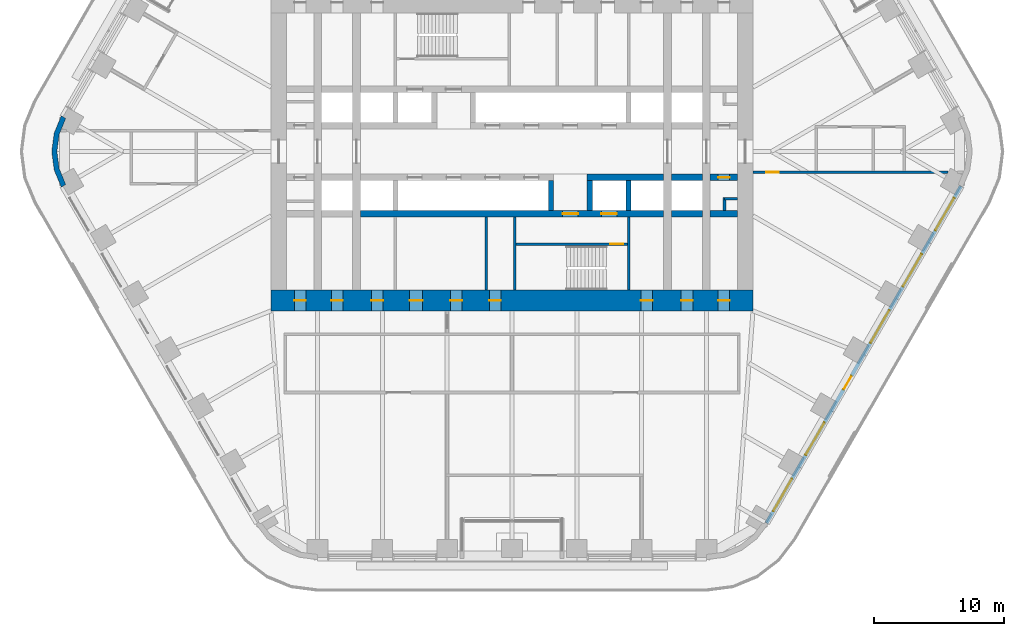
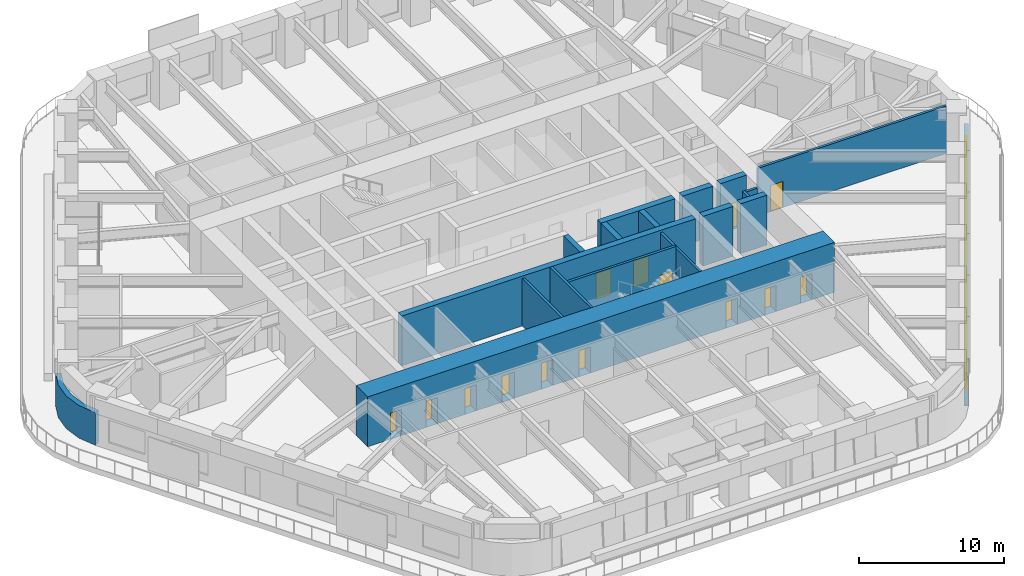
# One storey, part 18 of 24: 19 walls, 15 doors, 5 windows, 20 openings.
"""IFC4 building model written with IfcOpenShell, lengths in metres."""

from ifc_helpers import new_model, si_unit, direction, frame, frame_2d, origin, place, context, subcontext, project, spatial, polyline, rectangle, outline, extrude, material, layer, layer_set, type_object, element, fill, save


model = new_model("IFC4")

# Units and contexts
model_context = context("Model", 3, precision=1e-05, world=origin(), true_north=direction((0.0, 1.0)))
body_context = subcontext(model_context, "Body", "Model", "MODEL_VIEW")
ifc_project = project(units=[si_unit("LENGTHUNIT", "METRE"), si_unit("AREAUNIT", "SQUARE_METRE"), si_unit("VOLUMEUNIT", "CUBIC_METRE"), si_unit("PLANEANGLEUNIT", "RADIAN"), si_unit("MASSUNIT", "GRAM", prefix="KILO")], contexts=[model_context])

# Site, building, storey
site_placement = place(None, origin())
site = spatial("IfcSite", under=ifc_project, at=site_placement, CompositionType="ELEMENT")
building_placement = place(site_placement, origin())
building = spatial("IfcBuilding", under=site, at=building_placement, Name="Tarfa Lantern Tower", CompositionType="ELEMENT")
storey_placement = place(building_placement, frame((0.0, 0.0, 178.300048828125)))
storey = spatial("IfcBuildingStorey", under=building, at=storey_placement, Name="L40", CompositionType="ELEMENT", Elevation=178.300048828125)

# Wall, openings, door, windows
ifc_material_1 = material(Name="Limestone cladding on blockwork", Category="masonry")
ifc_layer_1 = layer(ifc_material_1, 0.300048828125)
ifc_layer_set_1 = layer_set([ifc_layer_1], Name="EW1 STONE-CLAD WALL 300")
wall_type_1 = type_object("IfcWallType", Name="EW1 STONE-CLAD WALL 300", PredefinedType="SOLIDWALL", material=ifc_layer_set_1)
wall_1_placement = place(storey_placement, frame((19.644287109375, -28.675048828125, 0.0), z_axis=(0.0, 0.0, 1.0), x_axis=(0.500003084452, 0.866023622968, 0.0)))
wall_1 = element("IfcWall", 1, at=wall_1_placement, inside=storey, type_object=wall_type_1, Name="Stone wall SE", PredefinedType="SOLIDWALL", context=body_context, shape_type="SweptSolid", body=[
    extrude(rectangle(XDim=30.022216796875, YDim=0.300048828125, at=frame_2d((15.01123046875, 0.0))), origin(), (0.0, 0.0, 1.0), 2.75),
])
opening_1_placement = place(wall_1_placement, frame((1.0517578125, 0.0, 0.60009765625)))
opening_1 = element("IfcOpeningElement", 2, at=opening_1_placement, cuts=wall_1, Name="Opening W9", PredefinedType="OPENING", context=body_context, shape_type="SweptSolid", body=[
    extrude(rectangle(XDim=2.89990234375, YDim=1.89990234375, at=frame_2d((1.449951171875, 0.949951171875))), frame((0.0, 0.159912109375, 0.0), z_axis=(0.0, -1.0, 0.0), x_axis=(1.0, 0.0, 0.0)), (0.0, 0.0, 1.0), 0.320068359375),
])
opening_2_placement = place(wall_1_placement, frame((6.0556640625, 0.0, 0.60009765625)))
opening_2 = element("IfcOpeningElement", 3, at=opening_2_placement, cuts=wall_1, Name="Opening W9", PredefinedType="OPENING", context=body_context, shape_type="SweptSolid", body=[
    extrude(rectangle(XDim=2.89990234375, YDim=1.89990234375, at=frame_2d((1.449951171875, 0.949951171875))), frame((0.0, 0.159912109375, 0.0), z_axis=(0.0, -1.0, 0.0), x_axis=(1.0, 0.0, 0.0)), (0.0, 0.0, 1.0), 0.320068359375),
])
opening_3_placement = place(wall_1_placement, frame((11.9091796875, 0.0, 0.0)))
opening_3 = element("IfcOpeningElement", 4, at=opening_3_placement, cuts=wall_1, Name="Opening D46", PredefinedType="OPENING", context=body_context, shape_type="SweptSolid", body=[
    extrude(rectangle(XDim=1.199951171875, YDim=2.39990234375, at=frame_2d((0.60009765625, 1.199951171875))), frame((0.0, 0.159912109375, 0.0), z_axis=(0.0, -1.0, 0.0), x_axis=(1.0, 0.0, 0.0)), (0.0, 0.0, 1.0), 0.320068359375),
])
opening_4_placement = place(wall_1_placement, frame((16.06298828125, 0.0, 0.60009765625)))
opening_4 = element("IfcOpeningElement", 5, at=opening_4_placement, cuts=wall_1, Name="Opening W9", PredefinedType="OPENING", context=body_context, shape_type="SweptSolid", body=[
    extrude(rectangle(XDim=2.89990234375, YDim=1.89990234375, at=frame_2d((1.449951171875, 0.949951171875))), frame((0.0, 0.159912109375, 0.0), z_axis=(0.0, -1.0, 0.0), x_axis=(1.0, 0.0, 0.0)), (0.0, 0.0, 1.0), 0.320068359375),
])
opening_5_placement = place(wall_1_placement, frame((21.066650390625, 0.0, 0.60009765625)))
opening_5 = element("IfcOpeningElement", 6, at=opening_5_placement, cuts=wall_1, Name="Opening W9", PredefinedType="OPENING", context=body_context, shape_type="SweptSolid", body=[
    extrude(rectangle(XDim=2.89990234375, YDim=1.89990234375, at=frame_2d((1.449951171875, 0.949951171875))), frame((0.0, 0.159912109375, 0.0), z_axis=(0.0, -1.0, 0.0), x_axis=(1.0, 0.0, 0.0)), (0.0, 0.0, 1.0), 0.320068359375),
])
opening_6_placement = place(wall_1_placement, frame((26.0703125, 0.0, 0.60009765625)))
opening_6 = element("IfcOpeningElement", 7, at=opening_6_placement, cuts=wall_1, Name="Opening W9", PredefinedType="OPENING", context=body_context, shape_type="SweptSolid", body=[
    extrude(rectangle(XDim=2.89990234375, YDim=1.89990234375, at=frame_2d((1.449951171875, 0.949951171875))), frame((0.0, 0.159912109375, 0.0), z_axis=(0.0, -1.0, 0.0), x_axis=(1.0, 0.0, 0.0)), (0.0, 0.0, 1.0), 0.320068359375),
])
ifc_material_2 = material(Name="Aluminium framed glazed door", Category="aluminium")
door_type_1 = type_object("IfcDoorType", Name="BE3 BALCONY DOOR 1200x2400", OperationType="SINGLE_SWING_RIGHT", PredefinedType="DOOR", material=ifc_material_2)
door_1_placement = place(opening_3_placement, origin())
door_1 = element("IfcDoor", 8, at=door_1_placement, inside=storey, type_object=door_type_1, Name="Balcony door SE", OperationType="SINGLE_SWING_RIGHT", OverallHeight=2.39990234375, OverallWidth=1.199951171875, PredefinedType="DOOR", context=body_context, shape_type="SweptSolid", body=[
    extrude(rectangle(XDim=1.199951171875, YDim=2.39990234375, at=frame_2d((0.60009765625, 1.199951171875))), frame((0.0, 0.02490234375, 0.0), z_axis=(0.0, -1.0, 0.0), x_axis=(1.0, 0.0, 0.0)), (0.0, 0.0, 1.0), 0.050048828125),
])
fill(opening_3, door_1)
ifc_material_3 = material(Name="Aluminium frame, double glazed", Category="aluminium")
window_type = type_object("IfcWindowType", Name="W9 FULL-HEIGHT GLAZING 2900x1900", PartitioningType="SINGLE_PANEL", PredefinedType="WINDOW", material=ifc_material_3)
window_1_placement = place(opening_1_placement, origin())
window_1 = element("IfcWindow", 9, at=window_1_placement, inside=storey, type_object=window_type, Name="Window SE 1", OverallHeight=1.89990234375, OverallWidth=2.89990234375, PartitioningType="SINGLE_PANEL", PredefinedType="WINDOW", context=body_context, shape_type="SweptSolid", body=[
    extrude(rectangle(XDim=2.89990234375, YDim=1.89990234375, at=frame_2d((1.449951171875, 0.949951171875))), frame((0.0, 0.030029296875, 0.0), z_axis=(0.0, -1.0, 0.0), x_axis=(1.0, 0.0, 0.0)), (0.0, 0.0, 1.0), 0.06005859375),
])
fill(opening_1, window_1)
window_2_placement = place(opening_2_placement, origin())
window_2 = element("IfcWindow", 10, at=window_2_placement, inside=storey, type_object=window_type, Name="Window SE 2", OverallHeight=1.89990234375, OverallWidth=2.89990234375, PartitioningType="SINGLE_PANEL", PredefinedType="WINDOW", context=body_context, shape_type="SweptSolid", body=[
    extrude(rectangle(XDim=2.89990234375, YDim=1.89990234375, at=frame_2d((1.449951171875, 0.949951171875))), frame((0.0, 0.030029296875, 0.0), z_axis=(0.0, -1.0, 0.0), x_axis=(1.0, 0.0, 0.0)), (0.0, 0.0, 1.0), 0.06005859375),
])
fill(opening_2, window_2)
window_3_placement = place(opening_4_placement, origin())
window_3 = element("IfcWindow", 11, at=window_3_placement, inside=storey, type_object=window_type, Name="Window SE 4", OverallHeight=1.89990234375, OverallWidth=2.89990234375, PartitioningType="SINGLE_PANEL", PredefinedType="WINDOW", context=body_context, shape_type="SweptSolid", body=[
    extrude(rectangle(XDim=2.89990234375, YDim=1.89990234375, at=frame_2d((1.449951171875, 0.949951171875))), frame((0.0, 0.030029296875, 0.0), z_axis=(0.0, -1.0, 0.0), x_axis=(1.0, 0.0, 0.0)), (0.0, 0.0, 1.0), 0.06005859375),
])
fill(opening_4, window_3)
window_4_placement = place(opening_5_placement, origin())
window_4 = element("IfcWindow", 12, at=window_4_placement, inside=storey, type_object=window_type, Name="Window SE 5", OverallHeight=1.89990234375, OverallWidth=2.89990234375, PartitioningType="SINGLE_PANEL", PredefinedType="WINDOW", context=body_context, shape_type="SweptSolid", body=[
    extrude(rectangle(XDim=2.89990234375, YDim=1.89990234375, at=frame_2d((1.449951171875, 0.949951171875))), frame((0.0, 0.030029296875, 0.0), z_axis=(0.0, -1.0, 0.0), x_axis=(1.0, 0.0, 0.0)), (0.0, 0.0, 1.0), 0.06005859375),
])
fill(opening_5, window_4)
window_5_placement = place(opening_6_placement, origin())
window_5 = element("IfcWindow", 13, at=window_5_placement, inside=storey, type_object=window_type, Name="Window SE 6", OverallHeight=1.89990234375, OverallWidth=2.89990234375, PartitioningType="SINGLE_PANEL", PredefinedType="WINDOW", context=body_context, shape_type="SweptSolid", body=[
    extrude(rectangle(XDim=2.89990234375, YDim=1.89990234375, at=frame_2d((1.449951171875, 0.949951171875))), frame((0.0, 0.030029296875, 0.0), z_axis=(0.0, -1.0, 0.0), x_axis=(1.0, 0.0, 0.0)), (0.0, 0.0, 1.0), 0.06005859375),
])
fill(opening_6, window_5)

# Walls
ifc_layer_2 = layer(ifc_material_1, 0.39990234375)
ifc_layer_set_2 = layer_set([ifc_layer_2], Name="EW2 CURVED STONE CORNER 400")
wall_type_2 = type_object("IfcWallType", Name="EW2 CURVED STONE CORNER 400", PredefinedType="SOLIDWALL", material=ifc_layer_set_2)
wall_2_placement = place(storey_placement, origin())
element("IfcWall", 14, at=wall_2_placement, inside=storey, type_object=wall_type_2, Name="Stone corner NW-SW", PredefinedType="SOLIDWALL", context=body_context, shape_type="SweptSolid", body=[
    extrude(outline(polyline([(-34.785400390625, 2.75), (-35.334716796875, 1.423583984375), (-35.522216796875, 0.0), (-35.334716796875, -1.423583984375), (-34.785400390625, -2.75), (-34.43896484375, -2.550048828125), (-34.948486328125, -1.320068359375), (-35.122314453125, 0.0), (-34.948486328125, 1.320068359375), (-34.43896484375, 2.550048828125), (-34.785400390625, 2.75)])), origin(), (0.0, 0.0, 1.0), 2.75),
])
ifc_material_4 = material(Name="Concrete blockwork", Category="masonry")
ifc_layer_3 = layer(ifc_material_4, 0.199951171875)
ifc_layer_set_3 = layer_set([ifc_layer_3], Name="IW1 BLOCKWORK PARTITION 200 EI 120")
wall_type_3 = type_object("IfcWallType", Name="IW1 BLOCKWORK PARTITION 200 EI 120", PredefinedType="PARTITIONING", material=ifc_layer_set_3)
for number, where, z_axis, x_axis, name in (
    (15, (9.0, -5.050048828125, 0.0), (0.0, 0.0, 1.0), (0.0, -1.0, 0.0), "Core partition"),
    (16, (-2.0, -5.050048828125, 0.0), (0.0, 0.0, 1.0), (0.0, -1.0, 0.0), "Core partition"),
):
    element("IfcWall", number, at=place(storey_placement, frame(where, z_axis=z_axis, x_axis=x_axis)), inside=storey, type_object=wall_type_3, Name=name, PredefinedType="PARTITIONING", context=body_context, shape_type="SweptSolid", body=[
        extrude(rectangle(XDim=5.64990234375, YDim=0.199951171875, at=frame_2d((2.824951171875, 0.0))), origin(), (0.0, 0.0, 1.0), 4.0),
    ])
for number, where, z_axis, x_axis, name in (
    (17, (17.39990234375, -3.64990234375, 0.0), (0.0, 0.0, 1.0), (-1.0, 0.0, 0.0), "Core partition"),
    (18, (16.39990234375, -3.550048828125, 0.0), (0.0, 0.0, 1.0), (0.0, -1.0, 0.0), "Core partition"),
):
    element("IfcWall", number, at=place(storey_placement, frame(where, z_axis=z_axis, x_axis=x_axis)), inside=storey, type_object=wall_type_3, Name=name, PredefinedType="PARTITIONING", context=body_context, shape_type="SweptSolid", body=[
        extrude(rectangle(XDim=1.0, YDim=0.199951171875, at=frame_2d((0.5, 0.0))), origin(), (0.0, 0.0, 1.0), 4.0),
    ])

# Wall, opening, door
ifc_material_5 = material(Name="Gypsum board on steel studs", Category="steel")
ifc_layer_4 = layer(ifc_material_5, 0.2099609375)
ifc_layer_set_4 = layer_set([ifc_layer_4], Name="IW2 ACOUSTIC PARTITION 200")
wall_type_4 = type_object("IfcWallType", Name="IW2 ACOUSTIC PARTITION 200", PredefinedType="PARTITIONING", material=ifc_layer_set_4)
wall_3_placement = place(storey_placement, frame((18.60009765625, -1.60009765625, 0.0), z_axis=(0.0, 0.0, 1.0), x_axis=(1.0, 0.0, 0.0)))
wall_3 = element("IfcWall", 19, at=wall_3_placement, inside=storey, type_object=wall_type_4, Name="Partition", PredefinedType="PARTITIONING", context=body_context, shape_type="SweptSolid", body=[
    extrude(rectangle(XDim=15.059326171875, YDim=0.199951171875, at=frame_2d((7.52978515625, 0.0))), origin(), (0.0, 0.0, 1.0), 4.0),
])
opening_7_placement = place(wall_3_placement, frame((1.005859375, 0.0, 0.0)))
opening_7 = element("IfcOpeningElement", 20, at=opening_7_placement, cuts=wall_3, Name="Opening D42", PredefinedType="OPENING", context=body_context, shape_type="SweptSolid", body=[
    extrude(rectangle(XDim=1.0, YDim=2.199951171875, at=frame_2d((0.5, 1.10009765625))), frame((0.0, 0.10986328125, 0.0), z_axis=(0.0, -1.0, 0.0), x_axis=(1.0, 0.0, 0.0)), (0.0, 0.0, 1.0), 0.219970703125),
])
ifc_material_6 = material(Name="Timber door", Category="wood")
door_type_2 = type_object("IfcDoorType", Name="DR1 ROOM DOOR 1000x2200", OperationType="SINGLE_SWING_LEFT", PredefinedType="DOOR", material=ifc_material_6)
door_2_placement = place(opening_7_placement, frame((1.0, 0.0, 0.0), z_axis=(0.0, 0.0, 1.0), x_axis=(-1.0, 0.0, 0.0)))
door_2 = element("IfcDoor", 21, at=door_2_placement, inside=storey, type_object=door_type_2, Name="Zone door", OperationType="SINGLE_SWING_LEFT", OverallHeight=2.199951171875, OverallWidth=1.0, PredefinedType="DOOR", context=body_context, shape_type="SweptSolid", body=[
    extrude(rectangle(XDim=1.0, YDim=2.199951171875, at=frame_2d((0.5, 1.10009765625))), frame((0.0, 0.02490234375, 0.0), z_axis=(0.0, -1.0, 0.0), x_axis=(1.0, 0.0, 0.0)), (0.0, 0.0, 1.0), 0.050048828125),
])
fill(opening_7, door_2)

# Wall
ifc_material_7 = material(Name="Concrete C80/95", Category="concrete")
ifc_layer_5 = layer(ifc_material_7, 0.199951171875)
ifc_layer_set_5 = layer_set([ifc_layer_5], Name="SW12 CORE WALL 200")
wall_type_5 = type_object("IfcWallType", Name="SW12 CORE WALL 200", PredefinedType="SHEAR", material=ifc_layer_set_5)
wall_4_placement = place(storey_placement, frame((0.199951171875, -5.050048828125, 0.0), z_axis=(0.0, 0.0, 1.0), x_axis=(0.0, -1.0, 0.0)))
element("IfcWall", 22, at=wall_4_placement, inside=storey, type_object=wall_type_5, Name="Core wall stair shaft S", PredefinedType="SHEAR", context=body_context, shape_type="SweptSolid", body=[
    extrude(rectangle(XDim=5.64990234375, YDim=0.199951171875, at=frame_2d((2.824951171875, 0.0))), origin(), (0.0, 0.0, 1.0), 4.199951171875),
])

# Wall, opening, door
wall_5_placement = place(storey_placement, frame((8.89990234375, -7.14990234375, 0.0), z_axis=(0.0, 0.0, 1.0), x_axis=(-1.0, 0.0, 0.0)))
wall_5 = element("IfcWall", 23, at=wall_5_placement, inside=storey, type_object=wall_type_5, Name="Core wall stair partition S", PredefinedType="SHEAR", context=body_context, shape_type="SweptSolid", body=[
    extrude(rectangle(XDim=8.599853515625, YDim=0.199951171875, at=frame_2d((4.2998046875, 0.0))), origin(), (0.0, 0.0, 1.0), 4.199951171875),
])
opening_8_placement = place(wall_5_placement, frame((0.300048828125, 0.0, 0.0)))
opening_8 = element("IfcOpeningElement", 24, at=opening_8_placement, cuts=wall_5, Name="Opening D28", PredefinedType="OPENING", context=body_context, shape_type="SweptSolid", body=[
    extrude(rectangle(XDim=1.0, YDim=2.199951171875, at=frame_2d((0.5, 1.10009765625))), frame((0.0, 0.10986328125, 0.0), z_axis=(0.0, -1.0, 0.0), x_axis=(1.0, 0.0, 0.0)), (0.0, 0.0, 1.0), 0.219970703125),
])
ifc_material_8 = material(Name="Steel fire door", Category="steel")
door_type_3 = type_object("IfcDoorType", Name="DF2 STAIR DOOR 1000x2200", OperationType="SINGLE_SWING_LEFT", PredefinedType="DOOR", material=ifc_material_8)
door_3_placement = place(opening_8_placement, origin())
door_3 = element("IfcDoor", 25, at=door_3_placement, inside=storey, type_object=door_type_3, Name="Stair door", OperationType="SINGLE_SWING_RIGHT", OverallHeight=2.199951171875, OverallWidth=1.0, PredefinedType="DOOR", context=body_context, shape_type="SweptSolid", body=[
    extrude(rectangle(XDim=1.0, YDim=2.199951171875, at=frame_2d((0.5, 1.10009765625))), frame((0.0, 0.02490234375, 0.0), z_axis=(0.0, -1.0, 0.0), x_axis=(1.0, 0.0, 0.0)), (0.0, 0.0, 1.0), 0.050048828125),
])
fill(opening_8, door_3)

ifc_layer_6 = layer(ifc_material_7, 0.5)
ifc_layer_set_6 = layer_set([ifc_layer_6], Name="SW5 CORE WALL 500")
wall_type_6 = type_object("IfcWallType", Name="SW5 CORE WALL 500", PredefinedType="SHEAR", material=ifc_layer_set_6)
wall_6_placement = place(storey_placement, frame((17.39990234375, -2.0, 0.0), z_axis=(0.0, 0.0, 1.0), x_axis=(-1.0, 0.0, 0.0)))
wall_6 = element("IfcWall", 26, at=wall_6_placement, inside=storey, type_object=wall_type_6, Name="Core wall lobby west S", PredefinedType="SHEAR", context=body_context, shape_type="SweptSolid", body=[
    extrude(rectangle(XDim=2.099853515625, YDim=0.5, at=frame_2d((1.0498046875, 0.0))), origin(), (0.0, 0.0, 1.0), 4.199951171875),
])
opening_9_placement = place(wall_6_placement, frame((0.60009765625, 0.0, 0.0)))
opening_9 = element("IfcOpeningElement", 27, at=opening_9_placement, cuts=wall_6, Name="Opening D20", PredefinedType="OPENING", context=body_context, shape_type="SweptSolid", body=[
    extrude(rectangle(XDim=0.89990234375, YDim=2.199951171875, at=frame_2d((0.449951171875, 1.10009765625))), frame((0.0, 0.260009765625, 0.0), z_axis=(0.0, -1.0, 0.0), x_axis=(1.0, 0.0, 0.0)), (0.0, 0.0, 1.0), 0.52001953125),
])
door_type_4 = type_object("IfcDoorType", Name="DF6 SERVICE ROOM DOOR 900x2200", OperationType="SINGLE_SWING_LEFT", PredefinedType="DOOR", material=ifc_material_8)
door_4_placement = place(opening_9_placement, origin())
door_4 = element("IfcDoor", 28, at=door_4_placement, inside=storey, type_object=door_type_4, Name="Service room door", OperationType="SINGLE_SWING_LEFT", OverallHeight=2.199951171875, OverallWidth=0.89990234375, PredefinedType="DOOR", context=body_context, shape_type="SweptSolid", body=[
    extrude(rectangle(XDim=0.89990234375, YDim=2.199951171875, at=frame_2d((0.449951171875, 1.10009765625))), frame((0.0, 0.02490234375, 0.0), z_axis=(0.0, -1.0, 0.0), x_axis=(1.0, 0.0, 0.0)), (0.0, 0.0, 1.0), 0.050048828125),
])
fill(opening_9, door_4)

# Walls
wall_7_placement = place(storey_placement, frame((14.699951171875, -2.0, 0.0), z_axis=(0.0, 0.0, 1.0), x_axis=(-1.0, 0.0, 0.0)))
element("IfcWall", 29, at=wall_7_placement, inside=storey, type_object=wall_type_6, Name="Core wall lobby west S", PredefinedType="SHEAR", context=body_context, shape_type="SweptSolid", body=[
    extrude(rectangle(XDim=2.39990234375, YDim=0.5, at=frame_2d((1.199951171875, 0.0))), origin(), (0.0, 0.0, 1.0), 4.199951171875),
])
wall_8_placement = place(storey_placement, frame((11.699951171875, -2.0, 0.0), z_axis=(0.0, 0.0, 1.0), x_axis=(-1.0, 0.0, 0.0)))
element("IfcWall", 30, at=wall_8_placement, inside=storey, type_object=wall_type_6, Name="Core wall lobby west S", PredefinedType="SHEAR", context=body_context, shape_type="SweptSolid", body=[
    extrude(rectangle(XDim=5.89990234375, YDim=0.5, at=frame_2d((2.949951171875, 0.0))), origin(), (0.0, 0.0, 1.0), 4.199951171875),
])
wall_9_placement = place(storey_placement, frame((17.39990234375, -4.800048828125, 0.0), z_axis=(0.0, 0.0, 1.0), x_axis=(-1.0, 0.0, 0.0)))
element("IfcWall", 31, at=wall_9_placement, inside=storey, type_object=wall_type_6, Name="Core wall rear S", PredefinedType="SHEAR", context=body_context, shape_type="SweptSolid", body=[
    extrude(rectangle(XDim=2.099853515625, YDim=0.5, at=frame_2d((1.0498046875, 0.0))), origin(), (0.0, 0.0, 1.0), 4.199951171875),
])
wall_10_placement = place(storey_placement, frame((14.699951171875, -4.800048828125, 0.0), z_axis=(0.0, 0.0, 1.0), x_axis=(-1.0, 0.0, 0.0)))
element("IfcWall", 32, at=wall_10_placement, inside=storey, type_object=wall_type_6, Name="Core wall rear S", PredefinedType="SHEAR", context=body_context, shape_type="SweptSolid", body=[
    extrude(rectangle(XDim=2.39990234375, YDim=0.5, at=frame_2d((1.199951171875, 0.0))), origin(), (0.0, 0.0, 1.0), 4.199951171875),
])

# Wall, openings, doors
wall_11_placement = place(storey_placement, frame((11.699951171875, -4.800048828125, 0.0), z_axis=(0.0, 0.0, 1.0), x_axis=(-1.0, 0.0, 0.0)))
wall_11 = element("IfcWall", 33, at=wall_11_placement, inside=storey, type_object=wall_type_6, Name="Core wall rear S", PredefinedType="SHEAR", context=body_context, shape_type="SweptSolid", body=[
    extrude(rectangle(XDim=23.39990234375, YDim=0.5, at=frame_2d((11.699951171875, 0.0))), origin(), (0.0, 0.0, 1.0), 4.199951171875),
])
opening_10_placement = place(wall_11_placement, frame((6.60009765625, 0.0, 0.0)))
opening_10 = element("IfcOpeningElement", 34, at=opening_10_placement, cuts=wall_11, Name="Opening D14", PredefinedType="OPENING", context=body_context, shape_type="SweptSolid", body=[
    extrude(rectangle(XDim=1.199951171875, YDim=2.199951171875, at=frame_2d((0.60009765625, 1.10009765625))), frame((0.0, 0.260009765625, 0.0), z_axis=(0.0, -1.0, 0.0), x_axis=(1.0, 0.0, 0.0)), (0.0, 0.0, 1.0), 0.52001953125),
])
opening_11_placement = place(wall_11_placement, frame((3.60009765625, 0.0, 0.0)))
opening_11 = element("IfcOpeningElement", 35, at=opening_11_placement, cuts=wall_11, Name="Opening LD02", PredefinedType="OPENING", context=body_context, shape_type="SweptSolid", body=[
    extrude(rectangle(XDim=1.199951171875, YDim=2.199951171875, at=frame_2d((0.60009765625, 1.10009765625))), frame((0.0, 0.260009765625, 0.0), z_axis=(0.0, -1.0, 0.0), x_axis=(1.0, 0.0, 0.0)), (0.0, 0.0, 1.0), 0.52001953125),
])
door_type_5 = type_object("IfcDoorType", Name="DF1 FIREFIGHTING LOBBY DOOR 1200x2200", OperationType="SINGLE_SWING_LEFT", PredefinedType="DOOR", material=ifc_material_8)
door_5_placement = place(opening_10_placement, origin())
door_5 = element("IfcDoor", 36, at=door_5_placement, inside=storey, type_object=door_type_5, Name="Firefighting lobby door", OperationType="SINGLE_SWING_LEFT", OverallHeight=2.199951171875, OverallWidth=1.199951171875, PredefinedType="DOOR", context=body_context, shape_type="SweptSolid", body=[
    extrude(rectangle(XDim=1.199951171875, YDim=2.199951171875, at=frame_2d((0.60009765625, 1.10009765625))), frame((0.0, 0.02490234375, 0.0), z_axis=(0.0, -1.0, 0.0), x_axis=(1.0, 0.0, 0.0)), (0.0, 0.0, 1.0), 0.050048828125),
])
fill(opening_10, door_5)
ifc_material_9 = material(Name="Stainless steel lift door", Category="steel")
door_type_6 = type_object("IfcDoorType", Name="LD1 LIFT LANDING DOOR 1200x2200", OperationType="SLIDING_TO_LEFT", PredefinedType="DOOR", material=ifc_material_9)
door_6_placement = place(opening_11_placement, origin())
door_6 = element("IfcDoor", 37, at=door_6_placement, inside=storey, type_object=door_type_6, Name="Landing door FL2", OperationType="SLIDING_TO_LEFT", OverallHeight=2.199951171875, OverallWidth=1.199951171875, PredefinedType="DOOR", context=body_context, shape_type="SweptSolid", body=[
    extrude(rectangle(XDim=1.199951171875, YDim=2.199951171875, at=frame_2d((0.60009765625, 1.10009765625))), frame((0.0, 0.02490234375, 0.0), z_axis=(0.0, -1.0, 0.0), x_axis=(1.0, 0.0, 0.0)), (0.0, 0.0, 1.0), 0.050048828125),
])
fill(opening_11, door_6)

# Walls
ifc_layer_7 = layer(ifc_material_7, 0.39990234375)
ifc_layer_set_7 = layer_set([ifc_layer_7], Name="SW6 CORE WALL 400")
wall_type_7 = type_object("IfcWallType", Name="SW6 CORE WALL 400", PredefinedType="SHEAR", material=ifc_layer_set_7)
for number, where, z_axis, x_axis, name in (
    (38, (9.0, -2.25, 0.0), (0.0, 0.0, 1.0), (0.0, -1.0, 0.0), "Core wall divider S"),
    (39, (6.0, -2.25, 0.0), (0.0, 0.0, 1.0), (0.0, -1.0, 0.0), "Core wall divider S"),
    (40, (3.0, -2.25, 0.0), (0.0, 0.0, 1.0), (0.0, -1.0, 0.0), "Core wall divider S"),
):
    element("IfcWall", number, at=place(storey_placement, frame(where, z_axis=z_axis, x_axis=x_axis)), inside=storey, type_object=wall_type_7, Name=name, PredefinedType="SHEAR", context=body_context, shape_type="SweptSolid", body=[
        extrude(rectangle(XDim=2.300048828125, YDim=0.39990234375, at=frame_2d((1.14990234375, 0.0))), origin(), (0.0, 0.0, 1.0), 4.199951171875),
    ])

# Wall, openings, doors
ifc_layer_8 = layer(ifc_material_7, 1.60009765625)
ifc_layer_set_8 = layer_set([ifc_layer_8], Name="SW7 CORE WALL 1600")
wall_type_8 = type_object("IfcWallType", Name="SW7 CORE WALL 1600", PredefinedType="SHEAR", material=ifc_layer_set_8)
wall_12_placement = place(storey_placement, frame((18.60009765625, -11.5, 0.0), z_axis=(0.0, 0.0, 1.0), x_axis=(-1.0, 0.0, 0.0)))
wall_12 = element("IfcWall", 41, at=wall_12_placement, inside=storey, type_object=wall_type_8, Name="Core wall S", PredefinedType="SHEAR", context=body_context, shape_type="SweptSolid", body=[
    extrude(rectangle(XDim=37.2001953125, YDim=1.60009765625, at=frame_2d((18.60009765625, 0.0))), origin(), (0.0, 0.0, 1.0), 4.199951171875),
])
opening_12_placement = place(wall_12_placement, frame((19.449951171875, 0.0, 0.0)))
opening_12 = element("IfcOpeningElement", 42, at=opening_12_placement, cuts=wall_12, Name="Opening D22", PredefinedType="OPENING", context=body_context, shape_type="SweptSolid", body=[
    extrude(rectangle(XDim=0.89990234375, YDim=2.199951171875, at=frame_2d((0.449951171875, 1.10009765625))), frame((0.0, 0.81005859375, 0.0), z_axis=(0.0, -1.0, 0.0), x_axis=(1.0, 0.0, 0.0)), (0.0, 0.0, 1.0), 1.6201171875),
])
opening_13_placement = place(wall_12_placement, frame((22.449951171875, 0.0, 0.0)))
opening_13 = element("IfcOpeningElement", 43, at=opening_13_placement, cuts=wall_12, Name="Opening D24", PredefinedType="OPENING", context=body_context, shape_type="SweptSolid", body=[
    extrude(rectangle(XDim=0.89990234375, YDim=2.199951171875, at=frame_2d((0.449951171875, 1.10009765625))), frame((0.0, 0.81005859375, 0.0), z_axis=(0.0, -1.0, 0.0), x_axis=(1.0, 0.0, 0.0)), (0.0, 0.0, 1.0), 1.6201171875),
])
opening_14_placement = place(wall_12_placement, frame((25.5, 0.0, 0.0)))
opening_14 = element("IfcOpeningElement", 44, at=opening_14_placement, cuts=wall_12, Name="Opening D26", PredefinedType="OPENING", context=body_context, shape_type="SweptSolid", body=[
    extrude(rectangle(XDim=1.0, YDim=2.199951171875, at=frame_2d((0.5, 1.10009765625))), frame((0.0, 0.81005859375, 0.0), z_axis=(0.0, -1.0, 0.0), x_axis=(1.0, 0.0, 0.0)), (0.0, 0.0, 1.0), 1.6201171875),
])
opening_15_placement = place(wall_12_placement, frame((1.800048828125, 0.0, 0.0)))
opening_15 = element("IfcOpeningElement", 45, at=opening_15_placement, cuts=wall_12, Name="Opening D12", PredefinedType="OPENING", context=body_context, shape_type="SweptSolid", body=[
    extrude(rectangle(XDim=0.89990234375, YDim=2.199951171875, at=frame_2d((0.449951171875, 1.10009765625))), frame((0.0, 0.81005859375, 0.0), z_axis=(0.0, -1.0, 0.0), x_axis=(1.0, 0.0, 0.0)), (0.0, 0.0, 1.0), 1.6201171875),
])
opening_16_placement = place(wall_12_placement, frame((4.64990234375, 0.0, 0.0)))
opening_16 = element("IfcOpeningElement", 46, at=opening_16_placement, cuts=wall_12, Name="Opening D08", PredefinedType="OPENING", context=body_context, shape_type="SweptSolid", body=[
    extrude(rectangle(XDim=0.89990234375, YDim=2.199951171875, at=frame_2d((0.449951171875, 1.10009765625))), frame((0.0, 0.81005859375, 0.0), z_axis=(0.0, -1.0, 0.0), x_axis=(1.0, 0.0, 0.0)), (0.0, 0.0, 1.0), 1.6201171875),
])
opening_17_placement = place(wall_12_placement, frame((7.75, 0.0, 0.0)))
opening_17 = element("IfcOpeningElement", 47, at=opening_17_placement, cuts=wall_12, Name="Opening D10", PredefinedType="OPENING", context=body_context, shape_type="SweptSolid", body=[
    extrude(rectangle(XDim=0.89990234375, YDim=2.199951171875, at=frame_2d((0.449951171875, 1.10009765625))), frame((0.0, 0.81005859375, 0.0), z_axis=(0.0, -1.0, 0.0), x_axis=(1.0, 0.0, 0.0)), (0.0, 0.0, 1.0), 1.6201171875),
])
opening_18_placement = place(wall_12_placement, frame((28.550048828125, 0.0, 0.0)))
opening_18 = element("IfcOpeningElement", 48, at=opening_18_placement, cuts=wall_12, Name="Opening D06", PredefinedType="OPENING", context=body_context, shape_type="SweptSolid", body=[
    extrude(rectangle(XDim=0.89990234375, YDim=2.199951171875, at=frame_2d((0.449951171875, 1.10009765625))), frame((0.0, 0.81005859375, 0.0), z_axis=(0.0, -1.0, 0.0), x_axis=(1.0, 0.0, 0.0)), (0.0, 0.0, 1.0), 1.6201171875),
])
opening_19_placement = place(wall_12_placement, frame((31.64990234375, 0.0, 0.0)))
opening_19 = element("IfcOpeningElement", 49, at=opening_19_placement, cuts=wall_12, Name="Opening D02", PredefinedType="OPENING", context=body_context, shape_type="SweptSolid", body=[
    extrude(rectangle(XDim=0.89990234375, YDim=2.199951171875, at=frame_2d((0.449951171875, 1.10009765625))), frame((0.0, 0.81005859375, 0.0), z_axis=(0.0, -1.0, 0.0), x_axis=(1.0, 0.0, 0.0)), (0.0, 0.0, 1.0), 1.6201171875),
])
opening_20_placement = place(wall_12_placement, frame((34.5, 0.0, 0.0)))
opening_20 = element("IfcOpeningElement", 50, at=opening_20_placement, cuts=wall_12, Name="Opening D04", PredefinedType="OPENING", context=body_context, shape_type="SweptSolid", body=[
    extrude(rectangle(XDim=0.89990234375, YDim=2.199951171875, at=frame_2d((0.449951171875, 1.10009765625))), frame((0.0, 0.81005859375, 0.0), z_axis=(0.0, -1.0, 0.0), x_axis=(1.0, 0.0, 0.0)), (0.0, 0.0, 1.0), 1.6201171875),
])
door_type_7 = type_object("IfcDoorType", Name="DF3 CORE ROOM DOOR 900x2200", OperationType="SINGLE_SWING_LEFT", PredefinedType="DOOR", material=ifc_material_8)
door_7_placement = place(opening_12_placement, frame((0.89990234375, 0.0, 0.0), z_axis=(0.0, 0.0, 1.0), x_axis=(-1.0, 0.0, 0.0)))
door_7 = element("IfcDoor", 51, at=door_7_placement, inside=storey, type_object=door_type_7, Name="Core door", OperationType="SINGLE_SWING_RIGHT", OverallHeight=2.199951171875, OverallWidth=0.89990234375, PredefinedType="DOOR", context=body_context, shape_type="SweptSolid", body=[
    extrude(rectangle(XDim=0.89990234375, YDim=2.199951171875, at=frame_2d((0.449951171875, 1.10009765625))), frame((0.0, 0.02490234375, 0.0), z_axis=(0.0, -1.0, 0.0), x_axis=(1.0, 0.0, 0.0)), (0.0, 0.0, 1.0), 0.050048828125),
])
fill(opening_12, door_7)
door_8_placement = place(opening_13_placement, frame((0.89990234375, 0.0, 0.0), z_axis=(0.0, 0.0, 1.0), x_axis=(-1.0, 0.0, 0.0)))
door_8 = element("IfcDoor", 52, at=door_8_placement, inside=storey, type_object=door_type_7, Name="Core door", OperationType="SINGLE_SWING_LEFT", OverallHeight=2.199951171875, OverallWidth=0.89990234375, PredefinedType="DOOR", context=body_context, shape_type="SweptSolid", body=[
    extrude(rectangle(XDim=0.89990234375, YDim=2.199951171875, at=frame_2d((0.449951171875, 1.10009765625))), frame((0.0, 0.02490234375, 0.0), z_axis=(0.0, -1.0, 0.0), x_axis=(1.0, 0.0, 0.0)), (0.0, 0.0, 1.0), 0.050048828125),
])
fill(opening_13, door_8)
door_type_8 = type_object("IfcDoorType", Name="DF4 CORE ROOM DOOR 1000x2200", OperationType="SINGLE_SWING_LEFT", PredefinedType="DOOR", material=ifc_material_8)
door_9_placement = place(opening_14_placement, frame((1.0, 0.0, 0.0), z_axis=(0.0, 0.0, 1.0), x_axis=(-1.0, 0.0, 0.0)))
door_9 = element("IfcDoor", 53, at=door_9_placement, inside=storey, type_object=door_type_8, Name="Core door", OperationType="SINGLE_SWING_RIGHT", OverallHeight=2.199951171875, OverallWidth=1.0, PredefinedType="DOOR", context=body_context, shape_type="SweptSolid", body=[
    extrude(rectangle(XDim=1.0, YDim=2.199951171875, at=frame_2d((0.5, 1.10009765625))), frame((0.0, 0.02490234375, 0.0), z_axis=(0.0, -1.0, 0.0), x_axis=(1.0, 0.0, 0.0)), (0.0, 0.0, 1.0), 0.050048828125),
])
fill(opening_14, door_9)
door_type_9 = type_object("IfcDoorType", Name="DF5 RISER DOOR 900x2200", OperationType="SINGLE_SWING_LEFT", PredefinedType="DOOR", material=ifc_material_8)
door_10_placement = place(opening_15_placement, frame((0.89990234375, 0.0, 0.0), z_axis=(0.0, 0.0, 1.0), x_axis=(-1.0, 0.0, 0.0)))
door_10 = element("IfcDoor", 54, at=door_10_placement, inside=storey, type_object=door_type_9, Name="Riser door", OperationType="SINGLE_SWING_LEFT", OverallHeight=2.199951171875, OverallWidth=0.89990234375, PredefinedType="DOOR", context=body_context, shape_type="SweptSolid", body=[
    extrude(rectangle(XDim=0.89990234375, YDim=2.199951171875, at=frame_2d((0.449951171875, 1.10009765625))), frame((0.0, 0.02490234375, 0.0), z_axis=(0.0, -1.0, 0.0), x_axis=(1.0, 0.0, 0.0)), (0.0, 0.0, 1.0), 0.050048828125),
])
fill(opening_15, door_10)
door_11_placement = place(opening_16_placement, frame((0.89990234375, 0.0, 0.0), z_axis=(0.0, 0.0, 1.0), x_axis=(-1.0, 0.0, 0.0)))
door_11 = element("IfcDoor", 55, at=door_11_placement, inside=storey, type_object=door_type_9, Name="Riser door", OperationType="SINGLE_SWING_LEFT", OverallHeight=2.199951171875, OverallWidth=0.89990234375, PredefinedType="DOOR", context=body_context, shape_type="SweptSolid", body=[
    extrude(rectangle(XDim=0.89990234375, YDim=2.199951171875, at=frame_2d((0.449951171875, 1.10009765625))), frame((0.0, 0.02490234375, 0.0), z_axis=(0.0, -1.0, 0.0), x_axis=(1.0, 0.0, 0.0)), (0.0, 0.0, 1.0), 0.050048828125),
])
fill(opening_16, door_11)
door_12_placement = place(opening_17_placement, frame((0.89990234375, 0.0, 0.0), z_axis=(0.0, 0.0, 1.0), x_axis=(-1.0, 0.0, 0.0)))
door_12 = element("IfcDoor", 56, at=door_12_placement, inside=storey, type_object=door_type_9, Name="Riser door", OperationType="SINGLE_SWING_LEFT", OverallHeight=2.199951171875, OverallWidth=0.89990234375, PredefinedType="DOOR", context=body_context, shape_type="SweptSolid", body=[
    extrude(rectangle(XDim=0.89990234375, YDim=2.199951171875, at=frame_2d((0.449951171875, 1.10009765625))), frame((0.0, 0.02490234375, 0.0), z_axis=(0.0, -1.0, 0.0), x_axis=(1.0, 0.0, 0.0)), (0.0, 0.0, 1.0), 0.050048828125),
])
fill(opening_17, door_12)
door_13_placement = place(opening_18_placement, frame((0.89990234375, 0.0, 0.0), z_axis=(0.0, 0.0, 1.0), x_axis=(-1.0, 0.0, 0.0)))
door_13 = element("IfcDoor", 57, at=door_13_placement, inside=storey, type_object=door_type_9, Name="Riser door", OperationType="SINGLE_SWING_RIGHT", OverallHeight=2.199951171875, OverallWidth=0.89990234375, PredefinedType="DOOR", context=body_context, shape_type="SweptSolid", body=[
    extrude(rectangle(XDim=0.89990234375, YDim=2.199951171875, at=frame_2d((0.449951171875, 1.10009765625))), frame((0.0, 0.02490234375, 0.0), z_axis=(0.0, -1.0, 0.0), x_axis=(1.0, 0.0, 0.0)), (0.0, 0.0, 1.0), 0.050048828125),
])
fill(opening_18, door_13)
door_14_placement = place(opening_19_placement, frame((0.89990234375, 0.0, 0.0), z_axis=(0.0, 0.0, 1.0), x_axis=(-1.0, 0.0, 0.0)))
door_14 = element("IfcDoor", 58, at=door_14_placement, inside=storey, type_object=door_type_9, Name="Riser door", OperationType="SINGLE_SWING_RIGHT", OverallHeight=2.199951171875, OverallWidth=0.89990234375, PredefinedType="DOOR", context=body_context, shape_type="SweptSolid", body=[
    extrude(rectangle(XDim=0.89990234375, YDim=2.199951171875, at=frame_2d((0.449951171875, 1.10009765625))), frame((0.0, 0.02490234375, 0.0), z_axis=(0.0, -1.0, 0.0), x_axis=(1.0, 0.0, 0.0)), (0.0, 0.0, 1.0), 0.050048828125),
])
fill(opening_19, door_14)
door_15_placement = place(opening_20_placement, frame((0.89990234375, 0.0, 0.0), z_axis=(0.0, 0.0, 1.0), x_axis=(-1.0, 0.0, 0.0)))
door_15 = element("IfcDoor", 59, at=door_15_placement, inside=storey, type_object=door_type_9, Name="Riser door", OperationType="SINGLE_SWING_RIGHT", OverallHeight=2.199951171875, OverallWidth=0.89990234375, PredefinedType="DOOR", context=body_context, shape_type="SweptSolid", body=[
    extrude(rectangle(XDim=0.89990234375, YDim=2.199951171875, at=frame_2d((0.449951171875, 1.10009765625))), frame((0.0, 0.02490234375, 0.0), z_axis=(0.0, -1.0, 0.0), x_axis=(1.0, 0.0, 0.0)), (0.0, 0.0, 1.0), 0.050048828125),
])
fill(opening_20, door_15)

save(model, "model.ifc")
